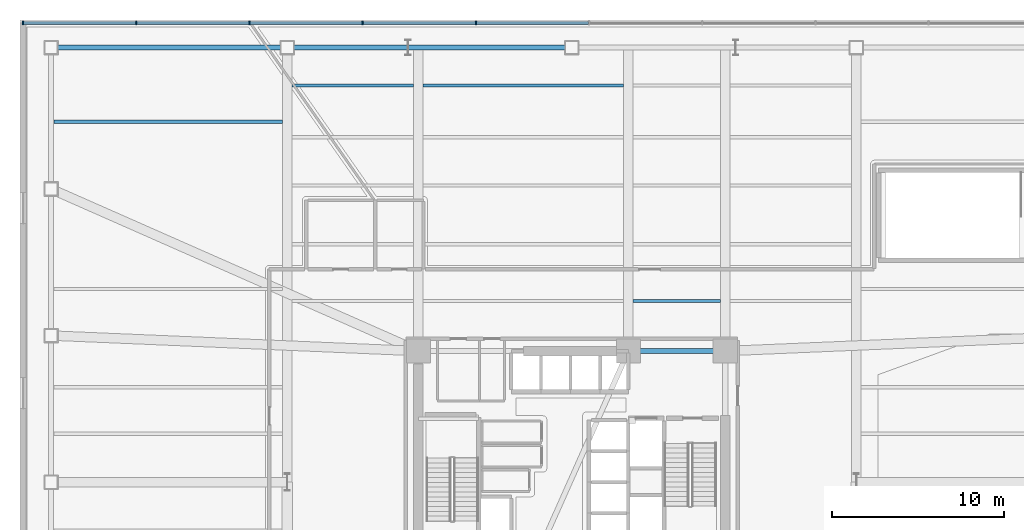
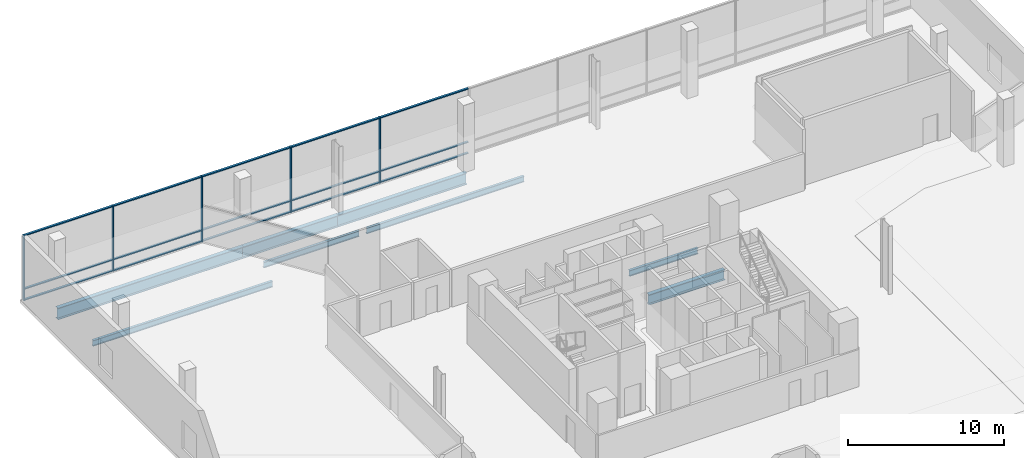
# One storey, part 6 of 19: 20 members, 8 beams, 1 element without a shape of its own.
"""IFC4 building model written with IfcOpenShell, lengths in metres."""

import ifcopenshell
import ifcopenshell.guid

model = None  # the IFC model being written
_history = None  # IfcOwnerHistory: only IFC2X3 demands one
_inside = {}  # id of a spatial element -> (the spatial element, [elements in it])
_under = {}  # id of a project, library or spatial element -> (it, [spatial elements below it])
_declared = {}  # id of a project -> (the project, [libraries it declares])
_typed = {}  # id of a type object -> (the type object, [elements of that type])
_made_of = {}  # id of a material, layer set ... -> (it, [elements and type objects made of it])


def new_model(schema):
    """Start an empty IFC model of exactly this schema.

    Asked for "IFC4X3", IfcOpenShell would pick the latest addendum, in which some entities
    have other attributes; the version numbers below select the first issue.
    IFC2X3 requires an IfcOwnerHistory on every rooted entity: one is made here for all.
    """
    global model, _history
    if schema == "IFC4X3":
        model = ifcopenshell.file(schema_version=(4, 3, 0, 0))
    else:
        model = ifcopenshell.file(schema=schema)
    _inside.clear()
    _under.clear()
    _declared.clear()
    _typed.clear()
    _made_of.clear()
    _history = None
    if model.schema == "IFC2X3":
        org = make("IfcOrganization", Name="unknown")
        user = make(
            "IfcPersonAndOrganization",
            ThePerson=make("IfcPerson", FamilyName="unknown"),
            TheOrganization=org,
        )
        app = make(
            "IfcApplication",
            ApplicationDeveloper=org,
            Version="unknown",
            ApplicationFullName="unknown",
            ApplicationIdentifier="unknown",
        )
        _history = make(
            "IfcOwnerHistory",
            OwningUser=user,
            OwningApplication=app,
            ChangeAction="ADDED",
            CreationDate=0,
        )
    return model


def make(cls, **values):
    """One entity of the class cls with the attributes given. An attribute that is None is left unset."""
    return model.create_entity(
        cls, **{name: value for name, value in values.items() if value is not None}
    )


def rooted(cls, **values):
    """An entity with a GlobalId (a new one), such as an element, a storey or a relation."""
    return make(cls, GlobalId=ifcopenshell.guid.new(), OwnerHistory=_history, **values)


def si_unit(unit_type, name, prefix=None):
    """IfcSIUnit, for example si_unit("LENGTHUNIT", "METRE", prefix="MILLI")."""
    return make("IfcSIUnit", UnitType=unit_type, Prefix=prefix, Name=name)


def assignment(units):
    """IfcUnitAssignment: the units of a project."""
    return None if units is None else make("IfcUnitAssignment", Units=units)


def point(xyz):
    """IfcCartesianPoint."""
    return None if xyz is None else make("IfcCartesianPoint", Coordinates=xyz)


def direction(xyz):
    """IfcDirection."""
    return None if xyz is None else make("IfcDirection", DirectionRatios=xyz)


def frame(location, z_axis=None, x_axis=None):
    """IfcAxis2Placement3D, a coordinate frame: its origin and axes. An axis left out is left unset."""
    return make(
        "IfcAxis2Placement3D",
        Location=point(location),
        Axis=direction(z_axis),
        RefDirection=direction(x_axis),
    )


def frame_2d(location, x_axis=None):
    """IfcAxis2Placement2D, a coordinate frame in the plane: its origin and x axis."""
    return make(
        "IfcAxis2Placement2D", Location=point(location), RefDirection=direction(x_axis)
    )


def origin():
    """The frame at (0, 0, 0) with its axes left unset."""
    return frame((0.0, 0.0, 0.0))


def origin_2d():
    """The frame at (0, 0) in the plane with its x axis left unset."""
    return frame_2d((0.0, 0.0))


def place(relative_to, where):
    """IfcLocalPlacement: puts the frame where relative to a parent placement (None: the world)."""
    return make(
        "IfcLocalPlacement", PlacementRelTo=relative_to, RelativePlacement=where
    )


def context(
    kind, dimensions, precision=None, world=None, true_north=None, identifier=None
):
    """IfcGeometricRepresentationContext, for example the 3D "Model" context."""
    return make(
        "IfcGeometricRepresentationContext",
        ContextIdentifier=identifier,
        ContextType=kind,
        CoordinateSpaceDimension=dimensions,
        Precision=precision,
        WorldCoordinateSystem=world,
        TrueNorth=true_north,
    )


def subcontext(parent, identifier, kind, view, scale=None):
    """IfcGeometricRepresentationSubContext, for example "Body" below "Model"."""
    return make(
        "IfcGeometricRepresentationSubContext",
        ContextIdentifier=identifier,
        ContextType=kind,
        ParentContext=parent,
        TargetScale=scale,
        TargetView=view,
    )


def project(units=None, contexts=None):
    """IfcProject with its units and contexts."""
    return rooted(
        "IfcProject",
        Name="project",
        RepresentationContexts=contexts,
        UnitsInContext=assignment(units),
    )


def spatial(cls, under=None, at=None, **own):
    """A site, building, storey or space (cls), placed at a placement, below another one or the project."""
    s = rooted(cls, ObjectPlacement=at, **own)
    if under is not None:
        _under.setdefault(under.id(), (under, []))[1].append(s)
    return s


def profile(cls, at=None, kind="AREA", **sizes):
    """A parametric profile (cls). Its sizes go by their IFC names, for example OverallWidth=200.0."""
    return make(cls, ProfileType=kind, Position=at, **sizes)


def rectangle(**sizes):
    """IfcRectangleProfileDef."""
    return profile("IfcRectangleProfileDef", **sizes)


def i_section(**sizes):
    """IfcIShapeProfileDef."""
    return profile("IfcIShapeProfileDef", **sizes)


def extrude(swept, where, along, depth):
    """IfcExtrudedAreaSolid: the profile swept, set in the frame where, extruded along a direction by depth."""
    return make(
        "IfcExtrudedAreaSolid",
        SweptArea=swept,
        Position=where,
        ExtrudedDirection=direction(along),
        Depth=depth,
    )


def shape(context_of_items, identifier, shape_type, items):
    """IfcShapeRepresentation: the items that make up one representation, for example the "Body"."""
    return make(
        "IfcShapeRepresentation",
        ContextOfItems=context_of_items,
        RepresentationIdentifier=identifier,
        RepresentationType=shape_type,
        Items=items,
    )


def material(Name=None, Category=None):
    """IfcMaterial."""
    return make("IfcMaterial", Name=Name, Category=Category)


def layer(
    of_material, thickness, ventilated=None, Name=None, Category=None, Priority=None
):
    """IfcMaterialLayer: one layer of a wall or slab, of a material (None: an air gap)."""
    return make(
        "IfcMaterialLayer",
        Material=of_material,
        LayerThickness=thickness,
        IsVentilated=ventilated,
        Name=Name,
        Category=Category,
        Priority=Priority,
    )


def layer_set(layers, Name=None):
    """IfcMaterialLayerSet."""
    return make("IfcMaterialLayerSet", MaterialLayers=layers, LayerSetName=Name)


def material_profile(
    of_material, cross_section, Name=None, Category=None, Priority=None
):
    """IfcMaterialProfile: a cross section and its material."""
    return make(
        "IfcMaterialProfile",
        Name=Name,
        Material=of_material,
        Profile=cross_section,
        Priority=Priority,
        Category=Category,
    )


def profile_set(profiles, Name=None, composite=None):
    """IfcMaterialProfileSet."""
    return make(
        "IfcMaterialProfileSet",
        Name=Name,
        MaterialProfiles=profiles,
        CompositeProfile=composite,
    )


def made_of(thing, what):
    """Note that an element or type object is made of a material, layer set ...; save() writes the relation."""
    if what is not None:
        _made_of.setdefault(what.id(), (what, []))[1].append(thing)
    return thing


def type_object(cls, material=None, **own):
    """A type object (cls), such as IfcWallType, which elements share."""
    return made_of(rooted(cls, **own), material)


def element(
    cls,
    number,
    at=None,
    inside=None,
    cuts=None,
    type_object=None,
    material=None,
    context=None,
    identifier="Body",
    shape_type=None,
    held_by="IfcProductDefinitionShape",
    body=None,
    shapes=None,
    **own,
):
    """One element of the class cls, such as IfcWall. Its Tag is "e" and its number.

    at: its placement. inside: the storey or other place that contains it. cuts: it is an
    opening in that element (IfcRelVoidsElement). A single representation is given by context,
    identifier, shape_type and body (its items); several are given by shapes. held_by: the class
    of the entity that holds the representations. save() writes the other relations.
    """
    e = rooted(cls, Tag="e%d" % number, ObjectPlacement=at, **own)
    if body is not None:
        shapes = [shape(context, identifier, shape_type, body)]
    if shapes is not None:
        e.Representation = make(held_by, Representations=shapes)
    if inside is not None:
        _inside.setdefault(inside.id(), (inside, []))[1].append(e)
    if cuts is not None:
        rooted(
            "IfcRelVoidsElement", RelatingBuildingElement=cuts, RelatedOpeningElement=e
        )
    if type_object is not None:
        _typed.setdefault(type_object.id(), (type_object, []))[1].append(e)
    return made_of(e, material)


def aggregate(whole, parts):
    """IfcRelAggregates: a whole, such as a stair, and the parts it consists of."""
    return rooted("IfcRelAggregates", RelatingObject=whole, RelatedObjects=parts)


def save(model, path):
    """Write the relations noted so far, then the file.

    IfcRelAggregates (storeys below a building ...), IfcRelContainedInSpatialStructure (elements
    in a storey), IfcRelDefinesByType, IfcRelAssociatesMaterial and IfcRelDeclares: one each for
    every whole, place, type object, material and project.
    """
    for whole, parts in _under.values():
        aggregate(whole, parts)
    for where, things in _inside.values():
        rooted(
            "IfcRelContainedInSpatialStructure",
            RelatedElements=things,
            RelatingStructure=where,
        )
    for kind, things in _typed.values():
        rooted("IfcRelDefinesByType", RelatedObjects=things, RelatingType=kind)
    for what, things in _made_of.values():
        rooted("IfcRelAssociatesMaterial", RelatedObjects=things, RelatingMaterial=what)
    for by, libraries in _declared.values():
        rooted("IfcRelDeclares", RelatingContext=by, RelatedDefinitions=libraries)
    model.write(path)


model = new_model("IFC4")

# Units and contexts
model_context = context("Model", 3, precision=1e-05, world=origin(), true_north=direction((0.0, 1.0)))
body_context = subcontext(model_context, "Body", "Model", "MODEL_VIEW")
ifc_project = project(units=[si_unit("LENGTHUNIT", "METRE"), si_unit("AREAUNIT", "SQUARE_METRE"), si_unit("VOLUMEUNIT", "CUBIC_METRE"), si_unit("PLANEANGLEUNIT", "RADIAN"), si_unit("MASSUNIT", "GRAM", prefix="KILO")], contexts=[model_context])

# Site, building, storey
site_placement = place(None, origin())
site = spatial("IfcSite", under=ifc_project, at=site_placement, CompositionType="ELEMENT")
building_placement = place(site_placement, origin())
building = spatial("IfcBuilding", under=site, at=building_placement, Name="Tharavind Bronze Gate", CompositionType="ELEMENT")
storey_placement = place(building_placement, frame((0.0, 0.0, 26.5)))
storey = spatial("IfcBuildingStorey", under=building, at=storey_placement, Name="L05", CompositionType="ELEMENT", Elevation=26.5)

# Curtain wall, members
ifc_material_1 = material(Name="Anodised Bronze Aluminium", Category="aluminium")
ifc_layer = layer(ifc_material_1, 0.219970703125)
ifc_layer_set = layer_set([ifc_layer], Name="Anodised Bronze Aluminium")
curtain_wall_type = type_object("IfcCurtainWallType", Name="UNITISED CURTAIN WALL PODIUM", PredefinedType="USERDEFINED", material=ifc_layer_set)
curtain_wall_placement = place(storey_placement, origin())
curtain_wall = element("IfcCurtainWall", 1, at=curtain_wall_placement, inside=storey, type_object=curtain_wall_type, Name="L05 unitised curtain wall podium CW-L05-S2", ObjectType="UNITISED CURTAIN WALL", PredefinedType="USERDEFINED")
member_type_1 = type_object("IfcMemberType", Name="CURTAIN WALL MULLION 80X220", PredefinedType="MULLION", material=ifc_material_1)
member_1_placement = place(storey_placement, frame((-5.56396484375, 26.6201171875, 0.0), z_axis=(0.0, 0.0, 1.0), x_axis=(-1.0, 0.0, 0.0)))
member_1 = element("IfcMember", 2, at=member_1_placement, type_object=member_type_1, Name="CW-L05-S2 mullion 7", PredefinedType="MULLION", context=body_context, shape_type="SweptSolid", body=[
    extrude(rectangle(XDim=0.080078125, YDim=0.219970703125, at=origin_2d()), origin(), (0.0, 0.0, 1.0), 5.10498046875),
])
member_2_placement = place(storey_placement, frame((-12.1279296875, 26.6201171875, 0.0), z_axis=(0.0, 0.0, 1.0), x_axis=(-1.0, 0.0, 0.0)))
member_2 = element("IfcMember", 3, at=member_2_placement, type_object=member_type_1, Name="CW-L05-S2 mullion 8", PredefinedType="MULLION", context=body_context, shape_type="SweptSolid", body=[
    extrude(rectangle(XDim=0.080078125, YDim=0.219970703125, at=origin_2d()), origin(), (0.0, 0.0, 1.0), 5.10498046875),
])
member_3_placement = place(storey_placement, frame((-18.69189453125, 26.6201171875, 0.0), z_axis=(0.0, 0.0, 1.0), x_axis=(-1.0, 0.0, 0.0)))
member_3 = element("IfcMember", 4, at=member_3_placement, type_object=member_type_1, Name="CW-L05-S2 mullion 9", PredefinedType="MULLION", context=body_context, shape_type="SweptSolid", body=[
    extrude(rectangle(XDim=0.080078125, YDim=0.219970703125, at=origin_2d()), origin(), (0.0, 0.0, 1.0), 5.10498046875),
])
member_4_placement = place(storey_placement, frame((-25.256103515625, 26.6201171875, 0.0), z_axis=(0.0, 0.0, 1.0), x_axis=(-1.0, 0.0, 0.0)))
member_4 = element("IfcMember", 5, at=member_4_placement, type_object=member_type_1, Name="CW-L05-S2 mullion 10", PredefinedType="MULLION", context=body_context, shape_type="SweptSolid", body=[
    extrude(rectangle(XDim=0.080078125, YDim=0.219970703125, at=origin_2d()), origin(), (0.0, 0.0, 1.0), 5.10498046875),
])
member_5_placement = place(storey_placement, frame((-31.820068359375, 26.6201171875, 0.0), z_axis=(0.0, 0.0, 1.0), x_axis=(-1.0, 0.0, 0.0)))
member_5 = element("IfcMember", 6, at=member_5_placement, type_object=member_type_1, Name="CW-L05-S2 mullion 11", PredefinedType="MULLION", context=body_context, shape_type="SweptSolid", body=[
    extrude(rectangle(XDim=0.080078125, YDim=0.219970703125, at=origin_2d()), origin(), (0.0, 0.0, 1.0), 5.10498046875),
])
member_type_2 = type_object("IfcMemberType", Name="CURTAIN WALL TRANSOM 80X160", PredefinedType="USERDEFINED", material=ifc_material_1)
member_6_placement = place(storey_placement, frame((-2.281982421875, 26.6201171875, 0.0), z_axis=(0.0, 0.0, 1.0), x_axis=(-1.0, 0.0, 0.0)))
member_6 = element("IfcMember", 7, at=member_6_placement, type_object=member_type_2, Name="CW-L05-S2 transom TB6", ObjectType="TRANSOM", PredefinedType="USERDEFINED", context=body_context, shape_type="SweptSolid", body=[
    extrude(rectangle(XDim=6.49609375, YDim=0.159912109375, at=origin_2d()), origin(), (0.0, 0.0, 1.0), 0.080078125),
])
member_7_placement = place(storey_placement, frame((-2.281982421875, 26.6201171875, 0.85986328125), z_axis=(0.0, 0.0, 1.0), x_axis=(-1.0, 0.0, 0.0)))
member_7 = element("IfcMember", 8, at=member_7_placement, type_object=member_type_2, Name="CW-L05-S2 transom TS6", ObjectType="TRANSOM", PredefinedType="USERDEFINED", context=body_context, shape_type="SweptSolid", body=[
    extrude(rectangle(XDim=6.49609375, YDim=0.159912109375, at=origin_2d()), origin(), (0.0, 0.0, 1.0), 0.080078125),
])
member_8_placement = place(storey_placement, frame((-2.281982421875, 26.6201171875, 5.02490234375), z_axis=(0.0, 0.0, 1.0), x_axis=(-1.0, 0.0, 0.0)))
member_8 = element("IfcMember", 9, at=member_8_placement, type_object=member_type_2, Name="CW-L05-S2 transom TT6", ObjectType="TRANSOM", PredefinedType="USERDEFINED", context=body_context, shape_type="SweptSolid", body=[
    extrude(rectangle(XDim=6.49609375, YDim=0.159912109375, at=origin_2d()), origin(), (0.0, 0.0, 1.0), 0.080078125),
])
member_9_placement = place(storey_placement, frame((-8.845947265625, 26.6201171875, 0.0), z_axis=(0.0, 0.0, 1.0), x_axis=(-1.0, 0.0, 0.0)))
member_9 = element("IfcMember", 10, at=member_9_placement, type_object=member_type_2, Name="CW-L05-S2 transom TB7", ObjectType="TRANSOM", PredefinedType="USERDEFINED", context=body_context, shape_type="SweptSolid", body=[
    extrude(rectangle(XDim=6.49609375, YDim=0.159912109375, at=origin_2d()), origin(), (0.0, 0.0, 1.0), 0.080078125),
])
member_10_placement = place(storey_placement, frame((-8.845947265625, 26.6201171875, 0.85986328125), z_axis=(0.0, 0.0, 1.0), x_axis=(-1.0, 0.0, 0.0)))
member_10 = element("IfcMember", 11, at=member_10_placement, type_object=member_type_2, Name="CW-L05-S2 transom TS7", ObjectType="TRANSOM", PredefinedType="USERDEFINED", context=body_context, shape_type="SweptSolid", body=[
    extrude(rectangle(XDim=6.49609375, YDim=0.159912109375, at=origin_2d()), origin(), (0.0, 0.0, 1.0), 0.080078125),
])
member_11_placement = place(storey_placement, frame((-8.845947265625, 26.6201171875, 5.02490234375), z_axis=(0.0, 0.0, 1.0), x_axis=(-1.0, 0.0, 0.0)))
member_11 = element("IfcMember", 12, at=member_11_placement, type_object=member_type_2, Name="CW-L05-S2 transom TT7", ObjectType="TRANSOM", PredefinedType="USERDEFINED", context=body_context, shape_type="SweptSolid", body=[
    extrude(rectangle(XDim=6.49609375, YDim=0.159912109375, at=origin_2d()), origin(), (0.0, 0.0, 1.0), 0.080078125),
])
member_12_placement = place(storey_placement, frame((-15.409912109375, 26.6201171875, 0.0), z_axis=(0.0, 0.0, 1.0), x_axis=(-1.0, 0.0, 0.0)))
member_12 = element("IfcMember", 13, at=member_12_placement, type_object=member_type_2, Name="CW-L05-S2 transom TB8", ObjectType="TRANSOM", PredefinedType="USERDEFINED", context=body_context, shape_type="SweptSolid", body=[
    extrude(rectangle(XDim=6.49609375, YDim=0.159912109375, at=origin_2d()), origin(), (0.0, 0.0, 1.0), 0.080078125),
])
member_13_placement = place(storey_placement, frame((-15.409912109375, 26.6201171875, 0.85986328125), z_axis=(0.0, 0.0, 1.0), x_axis=(-1.0, 0.0, 0.0)))
member_13 = element("IfcMember", 14, at=member_13_placement, type_object=member_type_2, Name="CW-L05-S2 transom TS8", ObjectType="TRANSOM", PredefinedType="USERDEFINED", context=body_context, shape_type="SweptSolid", body=[
    extrude(rectangle(XDim=6.49609375, YDim=0.159912109375, at=origin_2d()), origin(), (0.0, 0.0, 1.0), 0.080078125),
])
member_14_placement = place(storey_placement, frame((-15.409912109375, 26.6201171875, 5.02490234375), z_axis=(0.0, 0.0, 1.0), x_axis=(-1.0, 0.0, 0.0)))
member_14 = element("IfcMember", 15, at=member_14_placement, type_object=member_type_2, Name="CW-L05-S2 transom TT8", ObjectType="TRANSOM", PredefinedType="USERDEFINED", context=body_context, shape_type="SweptSolid", body=[
    extrude(rectangle(XDim=6.49609375, YDim=0.159912109375, at=origin_2d()), origin(), (0.0, 0.0, 1.0), 0.080078125),
])
member_15_placement = place(storey_placement, frame((-21.97412109375, 26.6201171875, 0.0), z_axis=(0.0, 0.0, 1.0), x_axis=(-1.0, 0.0, 0.0)))
member_15 = element("IfcMember", 16, at=member_15_placement, type_object=member_type_2, Name="CW-L05-S2 transom TB9", ObjectType="TRANSOM", PredefinedType="USERDEFINED", context=body_context, shape_type="SweptSolid", body=[
    extrude(rectangle(XDim=6.49609375, YDim=0.159912109375, at=origin_2d()), origin(), (0.0, 0.0, 1.0), 0.080078125),
])
member_16_placement = place(storey_placement, frame((-21.97412109375, 26.6201171875, 0.85986328125), z_axis=(0.0, 0.0, 1.0), x_axis=(-1.0, 0.0, 0.0)))
member_16 = element("IfcMember", 17, at=member_16_placement, type_object=member_type_2, Name="CW-L05-S2 transom TS9", ObjectType="TRANSOM", PredefinedType="USERDEFINED", context=body_context, shape_type="SweptSolid", body=[
    extrude(rectangle(XDim=6.49609375, YDim=0.159912109375, at=origin_2d()), origin(), (0.0, 0.0, 1.0), 0.080078125),
])
member_17_placement = place(storey_placement, frame((-21.97412109375, 26.6201171875, 5.02490234375), z_axis=(0.0, 0.0, 1.0), x_axis=(-1.0, 0.0, 0.0)))
member_17 = element("IfcMember", 18, at=member_17_placement, type_object=member_type_2, Name="CW-L05-S2 transom TT9", ObjectType="TRANSOM", PredefinedType="USERDEFINED", context=body_context, shape_type="SweptSolid", body=[
    extrude(rectangle(XDim=6.49609375, YDim=0.159912109375, at=origin_2d()), origin(), (0.0, 0.0, 1.0), 0.080078125),
])
member_18_placement = place(storey_placement, frame((-28.5380859375, 26.6201171875, 0.0), z_axis=(0.0, 0.0, 1.0), x_axis=(-1.0, 0.0, 0.0)))
member_18 = element("IfcMember", 19, at=member_18_placement, type_object=member_type_2, Name="CW-L05-S2 transom TB10", ObjectType="TRANSOM", PredefinedType="USERDEFINED", context=body_context, shape_type="SweptSolid", body=[
    extrude(rectangle(XDim=6.49609375, YDim=0.159912109375, at=origin_2d()), origin(), (0.0, 0.0, 1.0), 0.080078125),
])
member_19_placement = place(storey_placement, frame((-28.5380859375, 26.6201171875, 0.85986328125), z_axis=(0.0, 0.0, 1.0), x_axis=(-1.0, 0.0, 0.0)))
member_19 = element("IfcMember", 20, at=member_19_placement, type_object=member_type_2, Name="CW-L05-S2 transom TS10", ObjectType="TRANSOM", PredefinedType="USERDEFINED", context=body_context, shape_type="SweptSolid", body=[
    extrude(rectangle(XDim=6.49609375, YDim=0.159912109375, at=origin_2d()), origin(), (0.0, 0.0, 1.0), 0.080078125),
])
member_20_placement = place(storey_placement, frame((-28.5380859375, 26.6201171875, 5.02490234375), z_axis=(0.0, 0.0, 1.0), x_axis=(-1.0, 0.0, 0.0)))
member_20 = element("IfcMember", 21, at=member_20_placement, type_object=member_type_2, Name="CW-L05-S2 transom TT10", ObjectType="TRANSOM", PredefinedType="USERDEFINED", context=body_context, shape_type="SweptSolid", body=[
    extrude(rectangle(XDim=6.49609375, YDim=0.159912109375, at=origin_2d()), origin(), (0.0, 0.0, 1.0), 0.080078125),
])
aggregate(curtain_wall, [member_1, member_2, member_3, member_4, member_5, member_6, member_7, member_8, member_9, member_10, member_11, member_12, member_13, member_14, member_15, member_16, member_17, member_18, member_19, member_20])

# Beams
ifc_material_2 = material(Name="Steel S355", Category="steel")
ifc_material_profile_1 = material_profile(ifc_material_2, i_section(OverallWidth=0.300048828125, OverallDepth=0.800048828125, WebThickness=0.017578125, FlangeThickness=0.032958984375, at=origin_2d()), Name="HE800B")
ifc_profile_set_1 = profile_set([ifc_material_profile_1], Name="Steel S355")
beam_type_1 = type_object("IfcBeamType", Name="RING GIRDER HE800B", PredefinedType="USERDEFINED", material=ifc_profile_set_1)
beam_1_placement = place(storey_placement, frame((8.89990234375, 7.60009765625, -0.659912109375), z_axis=(-1.0, 0.0, 0.0), x_axis=(0.0, -1.0, 0.0)))
element("IfcBeam", 22, at=beam_1_placement, inside=storey, type_object=beam_type_1, Name="L05 ring girder he800b BM-L05-CR4", ObjectType="GIRDER", PredefinedType="USERDEFINED", context=body_context, shape_type="SweptSolid", body=[
    extrude(i_section(OverallWidth=0.300048828125, OverallDepth=0.800048828125, WebThickness=0.017578125, FlangeThickness=0.032958984375, at=origin_2d()), origin(), (0.0, 0.0, 1.0), 5.619873046875),
])
ifc_material_profile_2 = material_profile(ifc_material_2, i_section(OverallWidth=0.18994140625, OverallDepth=0.449951171875, WebThickness=0.009521484375, FlangeThickness=0.0146484375, at=origin_2d()), Name="IPE450")
ifc_profile_set_2 = profile_set([ifc_material_profile_2], Name="Steel S355")
beam_type_2 = type_object("IfcBeamType", Name="SECONDARY FLOOR JOIST IPE450", PredefinedType="JOIST", material=ifc_profile_set_2)
beam_2_placement = place(storey_placement, frame((3.556884765625, 10.5, -0.485107421875), z_axis=(1.0, 0.0, 0.0), x_axis=(0.0, 1.0, 0.0)))
element("IfcBeam", 23, at=beam_2_placement, inside=storey, type_object=beam_type_2, Name="L05 secondary floor joist ipe450 BM-L05-JSN1B", PredefinedType="JOIST", context=body_context, shape_type="SweptSolid", body=[
    extrude(i_section(OverallWidth=0.18994140625, OverallDepth=0.449951171875, WebThickness=0.009521484375, FlangeThickness=0.0146484375, at=origin_2d()), origin(), (0.0, 0.0, 1.0), 5.066162109375),
])
beam_3_placement = place(storey_placement, frame((-8.623046875, 23.0, -0.485107421875), z_axis=(1.0, 0.0, 0.0), x_axis=(0.0, 1.0, 0.0)))
element("IfcBeam", 24, at=beam_3_placement, inside=storey, type_object=beam_type_2, Name="L05 secondary floor joist ipe450 BM-L05-JSN5A", PredefinedType="JOIST", context=body_context, shape_type="SweptSolid", body=[
    extrude(i_section(OverallWidth=0.18994140625, OverallDepth=0.449951171875, WebThickness=0.009521484375, FlangeThickness=0.0146484375, at=origin_2d()), origin(), (0.0, 0.0, 1.0), 11.6259765625),
])
beam_4_placement = place(storey_placement, frame((-16.222900390625, 23.0, -0.485107421875), z_axis=(1.0, 0.0, 0.0), x_axis=(0.0, 1.0, 0.0)))
element("IfcBeam", 25, at=beam_4_placement, inside=storey, type_object=beam_type_2, Name="L05 secondary floor joist ipe450 BM-L05-JSN5W", PredefinedType="JOIST", context=body_context, shape_type="SweptSolid", body=[
    extrude(i_section(OverallWidth=0.18994140625, OverallDepth=0.449951171875, WebThickness=0.009521484375, FlangeThickness=0.0146484375, at=origin_2d()), origin(), (0.0, 0.0, 1.0), 7.0458984375),
])
beam_5_placement = place(storey_placement, frame((-30.0400390625, 20.89990234375, -0.485107421875), z_axis=(1.0, 0.0, 0.0), x_axis=(0.0, 1.0, 0.0)))
element("IfcBeam", 26, at=beam_5_placement, inside=storey, type_object=beam_type_2, Name="L05 secondary floor joist ipe450 BM-L05-JSWW9", PredefinedType="JOIST", context=body_context, shape_type="SweptSolid", body=[
    extrude(i_section(OverallWidth=0.18994140625, OverallDepth=0.449951171875, WebThickness=0.009521484375, FlangeThickness=0.0146484375, at=origin_2d()), origin(), (0.0, 0.0, 1.0), 13.262939453125),
])
ifc_material_profile_3 = material_profile(ifc_material_2, i_section(OverallWidth=0.300048828125, OverallDepth=0.89990234375, WebThickness=0.0185546875, FlangeThickness=0.034912109375, at=origin_2d()), Name="HE900B")
ifc_profile_set_3 = profile_set([ifc_material_profile_3], Name="Steel S355")
beam_type_3 = type_object("IfcBeamType", Name="SPANDREL RING BEAM HE900B", PredefinedType="SPANDREL", material=ifc_profile_set_3)
beam_6_placement = place(storey_placement, frame((-30.199951171875, 25.199951171875, -0.7099609375), z_axis=(1.0, 0.0, 0.0), x_axis=(0.0, 1.0, 0.0)))
element("IfcBeam", 27, at=beam_6_placement, inside=storey, type_object=beam_type_3, Name="L05 spandrel ring beam he900b BM-L05-PN1", PredefinedType="SPANDREL", context=body_context, shape_type="SweptSolid", body=[
    extrude(i_section(OverallWidth=0.300048828125, OverallDepth=0.89990234375, WebThickness=0.0185546875, FlangeThickness=0.034912109375, at=origin_2d()), origin(), (0.0, 0.0, 1.0), 13.699951171875),
])
beam_7_placement = place(storey_placement, frame((-16.5, 25.199951171875, -0.7099609375), z_axis=(1.0, 0.0, 0.0), x_axis=(0.0, 1.0, 0.0)))
element("IfcBeam", 28, at=beam_7_placement, inside=storey, type_object=beam_type_3, Name="L05 spandrel ring beam he900b BM-L05-PN2", PredefinedType="SPANDREL", context=body_context, shape_type="SweptSolid", body=[
    extrude(i_section(OverallWidth=0.300048828125, OverallDepth=0.89990234375, WebThickness=0.0185546875, FlangeThickness=0.034912109375, at=origin_2d()), origin(), (0.0, 0.0, 1.0), 7.0),
])
beam_8_placement = place(storey_placement, frame((-9.5, 25.199951171875, -0.7099609375), z_axis=(1.0, 0.0, 0.0), x_axis=(0.0, 1.0, 0.0)))
element("IfcBeam", 29, at=beam_8_placement, inside=storey, type_object=beam_type_3, Name="L05 spandrel ring beam he900b BM-L05-PN3", PredefinedType="SPANDREL", context=body_context, shape_type="SweptSolid", body=[
    extrude(i_section(OverallWidth=0.300048828125, OverallDepth=0.89990234375, WebThickness=0.0185546875, FlangeThickness=0.034912109375, at=origin_2d()), origin(), (0.0, 0.0, 1.0), 9.5),
])

save(model, "model.ifc")
